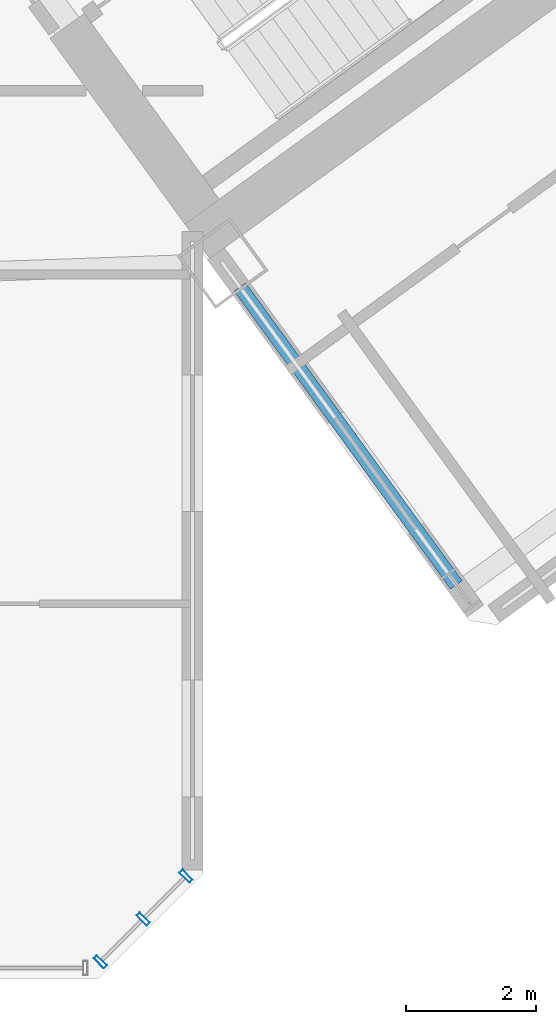
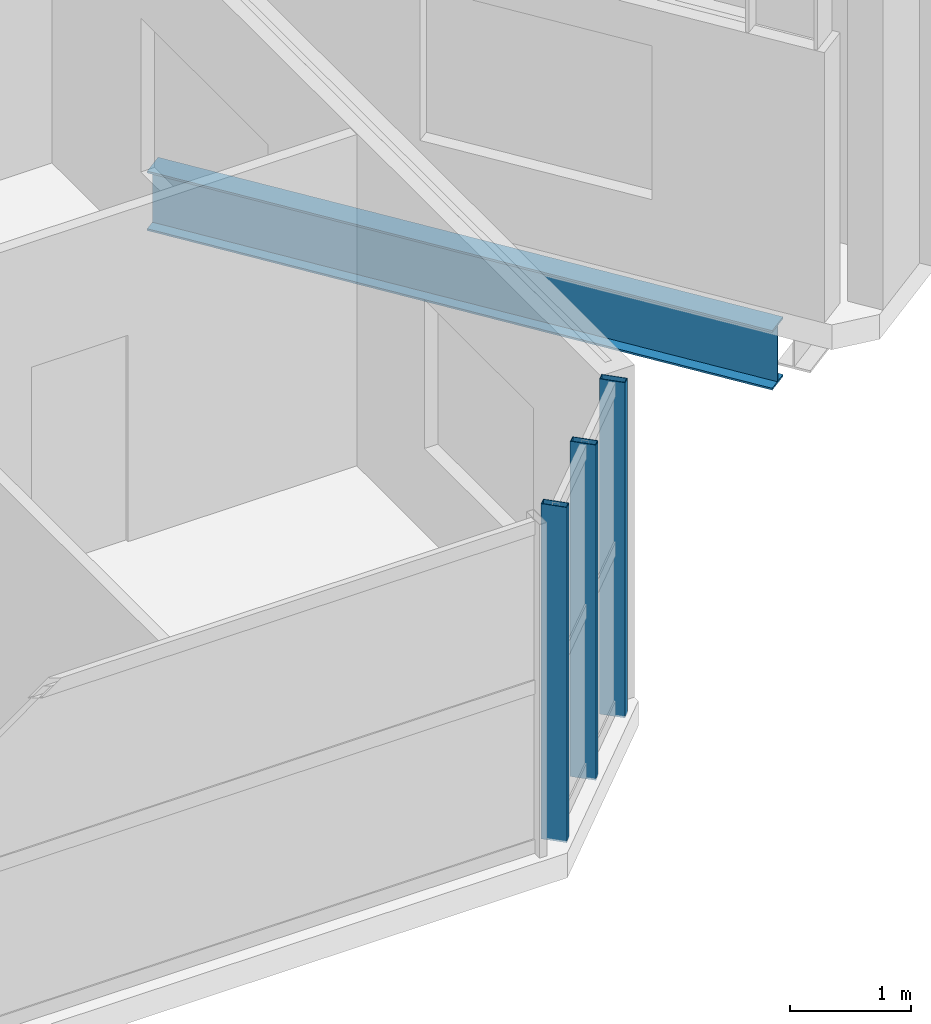
# One storey, part 9 of 28: 3 members, 1 beam, 1 element without a shape of its own.
"""IFC4 building model written with IfcOpenShell, lengths in metres."""

from ifc_helpers import new_model, si_unit, direction, frame, origin, origin_2d, place, context, subcontext, project, spatial, hollow_rectangle, i_section, extrude, source, transform, mapped, material, material_profile, profile_set, type_object, element, aggregate, save


model = new_model("IFC4")

# Units and contexts
model_context = context("Model", 3, precision=1e-05, world=origin(), true_north=direction((0.0, 1.0)))
body_context = subcontext(model_context, "Body", "Model", "MODEL_VIEW")
ifc_project = project(units=[si_unit("LENGTHUNIT", "METRE"), si_unit("AREAUNIT", "SQUARE_METRE"), si_unit("VOLUMEUNIT", "CUBIC_METRE"), si_unit("PLANEANGLEUNIT", "RADIAN"), si_unit("MASSUNIT", "GRAM", prefix="KILO")], contexts=[model_context])

# Site, building, storey
site_placement = place(None, origin())
site = spatial("IfcSite", under=ifc_project, at=site_placement, CompositionType="ELEMENT")
building_placement = place(site_placement, origin())
building = spatial("IfcBuilding", under=site, at=building_placement, Name="Tlacorven Tower", CompositionType="ELEMENT")
storey_placement = place(building_placement, frame((0.0, 0.0, 56.39990234375)))
storey = spatial("IfcBuildingStorey", under=building, at=storey_placement, Name="L14", CompositionType="ELEMENT", Elevation=56.39990234375)

# Beam
ifc_material_1 = material(Name="Steel S355J2", Category="steel")
ifc_material_profile_1 = material_profile(ifc_material_1, i_section(OverallWidth=0.219970703125, OverallDepth=0.60009765625, WebThickness=0.011962890625, FlangeThickness=0.01904296875, at=origin_2d()), Name="IPE 600")
ifc_profile_set_1 = profile_set([ifc_material_profile_1], Name="Steel S355J2")
beam_type = type_object("IfcBeamType", Name="BM-TWR-600", PredefinedType="BEAM", material=ifc_profile_set_1)
shared_shape_1 = source(origin(), body_context, "Body", "SweptSolid", [
    extrude(i_section(OverallWidth=0.219970703125, OverallDepth=0.60009765625, WebThickness=0.011962890625, FlangeThickness=0.01904296875, at=origin_2d()), origin(), (0.0, 0.0, 1.0), 5.650146484375),
])
beam_placement = place(storey_placement, frame((56.291015625, 7.83837890625, -0.5498046875), z_axis=(-0.587783675561, 0.809018139935, 0.0), x_axis=(-0.809018139935, -0.587783675561, 0.0)))
element("IfcBeam", 1, at=beam_placement, inside=storey, type_object=beam_type, Name="L14 beam BM-L14-ET1-1", PredefinedType="BEAM", context=body_context, shape_type="MappedRepresentation", body=[
    mapped(shared_shape_1, transform((0.0, 0.0, 0.0), scale=1.0)),
])

# Curtain wall, members
ifc_material_2 = material(Name="Dark solar low-E double glazing in aluminium frame", Category="aluminium")
curtain_wall_type = type_object("IfcCurtainWallType", Name="CW-TWR-LOW", PredefinedType="USERDEFINED", material=ifc_material_2)
curtain_wall_placement = place(storey_placement, origin())
curtain_wall = element("IfcCurtainWall", 2, at=curtain_wall_placement, inside=storey, type_object=curtain_wall_type, Name="L14 CW-TWR-LOW Curtain Wall 75", ObjectType="UNITISED CURTAIN WALL", PredefinedType="USERDEFINED")
ifc_material_3 = material(Name="Aluminium 6063-T6 anodised", Category="aluminium")
ifc_material_profile_2 = material_profile(ifc_material_3, hollow_rectangle(XDim=0.070068359375, YDim=0.219970703125, WallThickness=0.0048828125, at=origin_2d()), Name="ALU MULLION 70X220")
ifc_profile_set_2 = profile_set([ifc_material_profile_2], Name="Aluminium 6063-T6 anodised")
member_type = type_object("IfcMemberType", Name="CWM-01", PredefinedType="MULLION", material=ifc_profile_set_2)
shared_shape_2 = source(origin(), body_context, "Body", "SweptSolid", [
    extrude(hollow_rectangle(XDim=0.070068359375, YDim=0.219970703125, WallThickness=0.0048828125, at=origin_2d()), origin(), (0.0, 0.0, 1.0), 3.380126953125),
])
member_1_placement = place(storey_placement, frame((52.14453125, 3.370849609375, -0.02001953125), z_axis=(0.0, 0.0, 1.0), x_axis=(-0.707106781187, -0.707106781187, 0.0)))
member_1 = element("IfcMember", 3, at=member_1_placement, type_object=member_type, Name="CW-L14-075 Mullion 1", PredefinedType="MULLION", context=body_context, shape_type="MappedRepresentation", body=[
    mapped(shared_shape_2, transform((0.0, 0.0, 0.0), scale=1.0)),
])
member_2_placement = place(storey_placement, frame((51.48681640625, 2.713134765625, -0.02001953125), z_axis=(0.0, 0.0, 1.0), x_axis=(-0.707106781187, -0.707106781187, 0.0)))
member_2 = element("IfcMember", 4, at=member_2_placement, type_object=member_type, Name="CW-L14-075 Mullion 2", PredefinedType="MULLION", context=body_context, shape_type="MappedRepresentation", body=[
    mapped(shared_shape_2, transform((0.0, 0.0, 0.0), scale=1.0)),
])
member_3_placement = place(storey_placement, frame((50.8291015625, 2.055419921875, -0.02001953125), z_axis=(0.0, 0.0, 1.0), x_axis=(-0.707106781187, -0.707106781187, 0.0)))
member_3 = element("IfcMember", 5, at=member_3_placement, type_object=member_type, Name="CW-L14-075 Mullion 3", PredefinedType="MULLION", context=body_context, shape_type="MappedRepresentation", body=[
    mapped(shared_shape_2, transform((0.0, 0.0, 0.0), scale=1.0)),
])
aggregate(curtain_wall, [member_1, member_2, member_3])

save(model, "model.ifc")
